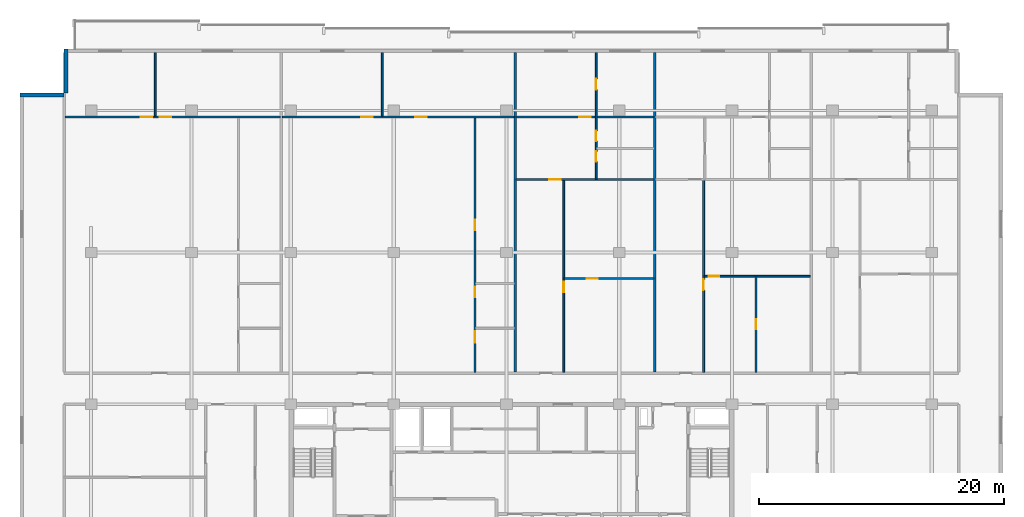
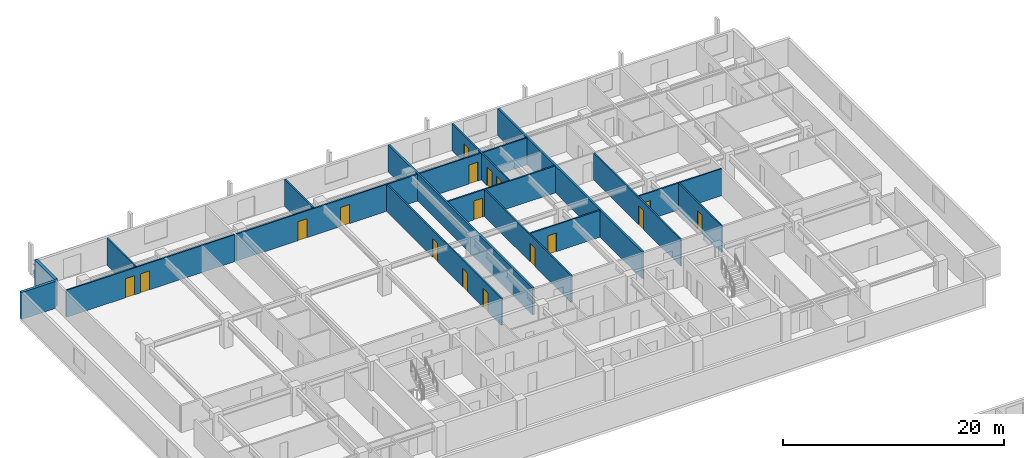
# One storey, part 13 of 21: 17 doors, 17 walls, 17 openings.
"""IFC4 building model written with IfcOpenShell, lengths in metres."""

from ifc_helpers import new_model, si_unit, direction, frame, frame_2d, origin, place, context, subcontext, project, spatial, rectangle, extrude, material, layer, layer_set, type_object, element, fill, save


model = new_model("IFC4")

# Units and contexts
model_context = context("Model", 3, precision=1e-05, world=origin(), true_north=direction((0.0, 1.0)))
body_context = subcontext(model_context, "Body", "Model", "MODEL_VIEW")
ifc_project = project(units=[si_unit("LENGTHUNIT", "METRE"), si_unit("AREAUNIT", "SQUARE_METRE"), si_unit("VOLUMEUNIT", "CUBIC_METRE"), si_unit("PLANEANGLEUNIT", "RADIAN"), si_unit("MASSUNIT", "GRAM", prefix="KILO")], contexts=[model_context])

# Site, building, storey
site_placement = place(None, origin())
site = spatial("IfcSite", under=ifc_project, at=site_placement, CompositionType="ELEMENT")
building_placement = place(site_placement, origin())
building = spatial("IfcBuilding", under=site, at=building_placement, Name="Korimba Cascade Residences", CompositionType="ELEMENT")
storey_placement = place(building_placement, frame((0.0, 0.0, 113.300048828125)))
storey = spatial("IfcBuildingStorey", under=building, at=storey_placement, Name="L32", CompositionType="ELEMENT", Elevation=113.300048828125)

# Walls
ifc_material_1 = material(Name="Precast concrete C40/50", Category="concrete")
ifc_layer_1 = layer(ifc_material_1, 0.300048828125)
ifc_layer_set_1 = layer_set([ifc_layer_1], Name="Precast concrete C40/50")
wall_type_1 = type_object("IfcWallType", Name="EW-STONE-300", PredefinedType="STANDARD", material=ifc_layer_set_1)
wall_1_placement = place(storey_placement, frame((57.75, 96.199951171875, 0.0), z_axis=(0.0, 0.0, 1.0), x_axis=(0.0, -1.0, 0.0)))
element("IfcWall", 1, at=wall_1_placement, inside=storey, type_object=wall_type_1, Name="L32 T1 Perimeter Stone Wall E07", PredefinedType="STANDARD", context=body_context, shape_type="SweptSolid", body=[
    extrude(rectangle(XDim=3.599853515625, YDim=0.300048828125, at=frame_2d((1.7998046875, 0.0))), origin(), (0.0, 0.0, 1.0), 2.969970703125),
])
wall_2_placement = place(storey_placement, frame((57.60009765625, 92.449951171875, 0.0), z_axis=(0.0, 0.0, 1.0), x_axis=(-1.0, 0.0, 0.0)))
element("IfcWall", 2, at=wall_2_placement, inside=storey, type_object=wall_type_1, Name="L32 T1 Perimeter Stone Wall E08", PredefinedType="STANDARD", context=body_context, shape_type="SweptSolid", body=[
    extrude(rectangle(XDim=3.60009765625, YDim=0.300048828125, at=frame_2d((1.800048828125, 0.0))), origin(), (0.0, 0.0, 1.0), 2.969970703125),
])
ifc_layer_2 = layer(ifc_material_1, 0.199951171875)
ifc_layer_set_2 = layer_set([ifc_layer_2], Name="Precast concrete C40/50")
wall_type_2 = type_object("IfcWallType", Name="WAL-IT-200", PredefinedType="PARTITIONING", material=ifc_layer_set_2)
for number, where, z_axis, x_axis, name in (
    (3, (94.400634765625, 69.830078125, 0.0), (0.0, 0.0, 1.0), (0.0, 1.0, 0.0), "L32 Partition Wall WAL-L32-T1-DEM-2"),
    (4, (105.816650390625, 69.830078125, 0.0), (0.0, 0.0, 1.0), (0.0, 1.0, 0.0), "L32 Partition Wall WAL-L32-T1-DEM-3"),
):
    element("IfcWall", number, at=place(storey_placement, frame(where, z_axis=z_axis, x_axis=x_axis)), inside=storey, type_object=wall_type_2, Name=name, PredefinedType="PARTITIONING", context=body_context, shape_type="SweptSolid", body=[
        extrude(rectangle(XDim=26.06982421875, YDim=0.199951171875, at=frame_2d((13.034912109375, 0.0))), origin(), (0.0, 0.0, 1.0), 2.969970703125),
    ])
ifc_material_2 = material(Name="Insulated Acoustic Stud Partition", Category="gypsum")
ifc_layer_3 = layer(ifc_material_2, 0.14990234375)
ifc_layer_set_3 = layer_set([ifc_layer_3], Name="Insulated Acoustic Stud Partition")
wall_type_3 = type_object("IfcWallType", Name="WAL-PART-150", PredefinedType="PARTITIONING", material=ifc_layer_set_3)
wall_3_placement = place(storey_placement, frame((65.042236328125, 90.72998046875, 0.0), z_axis=(0.0, 0.0, 1.0), x_axis=(0.0, 1.0, 0.0)))
element("IfcWall", 5, at=wall_3_placement, inside=storey, type_object=wall_type_3, Name="L32 Partition Wall WAL-L32-T1-U01-OUTV", PredefinedType="PARTITIONING", context=body_context, shape_type="SweptSolid", body=[
    extrude(rectangle(XDim=5.169921875, YDim=0.14990234375, at=frame_2d((2.5849609375, 0.0))), origin(), (0.0, 0.0, 1.0), 2.969970703125),
])

# Wall, openings, doors
wall_4_placement = place(storey_placement, frame((57.679931640625, 90.64990234375, 0.0), z_axis=(0.0, 0.0, 1.0), x_axis=(1.0, 0.0, 0.0)))
wall_4 = element("IfcWall", 6, at=wall_4_placement, inside=storey, type_object=wall_type_3, Name="L32 Partition Wall WAL-L32-T1-U01-HZ", PredefinedType="PARTITIONING", context=body_context, shape_type="SweptSolid", body=[
    extrude(rectangle(XDim=17.564697265625, YDim=0.14990234375, at=frame_2d((8.7822265625, 0.0))), origin(), (0.0, 0.0, 1.0), 2.969970703125),
])
opening_1_placement = place(wall_4_placement, frame((6.17236328125, 0.0, 0.0)))
opening_1 = element("IfcOpeningElement", 7, at=opening_1_placement, cuts=wall_4, Name="Opening D-IN0", PredefinedType="OPENING", context=body_context, shape_type="SweptSolid", body=[
    extrude(rectangle(XDim=0.93994140625, YDim=2.10009765625, at=frame_2d((0.469970703125, 1.050048828125))), frame((0.0, 0.0849609375, 0.0), z_axis=(0.0, -1.0, 0.0), x_axis=(1.0, 0.0, 0.0)), (0.0, 0.0, 1.0), 0.169921875),
])
opening_2_placement = place(wall_4_placement, frame((7.718994140625, 0.0, 0.0)))
opening_2 = element("IfcOpeningElement", 8, at=opening_2_placement, cuts=wall_4, Name="Opening D-IN0", PredefinedType="OPENING", context=body_context, shape_type="SweptSolid", body=[
    extrude(rectangle(XDim=0.93994140625, YDim=2.10009765625, at=frame_2d((0.469970703125, 1.050048828125))), frame((0.0, 0.0849609375, 0.0), z_axis=(0.0, -1.0, 0.0), x_axis=(1.0, 0.0, 0.0)), (0.0, 0.0, 1.0), 0.169921875),
])
ifc_material_3 = material(Name="Acoustic Timber Living Archway Door", Category="wood")
door_type_1 = type_object("IfcDoorType", Name="DR-INT-950", OperationType="NOTDEFINED", PredefinedType="DOOR", material=ifc_material_3)
door_1_placement = place(opening_1_placement, origin())
door_1 = element("IfcDoor", 9, at=door_1_placement, inside=storey, type_object=door_type_1, Name="L32-T1-U01 Fitness Pilates Gym Door", OperationType="SINGLE_SWING_LEFT", OverallHeight=2.10009765625, OverallWidth=0.93994140625, PredefinedType="DOOR", context=body_context, shape_type="SweptSolid", body=[
    extrude(rectangle(XDim=0.93994140625, YDim=2.10009765625, at=frame_2d((0.469970703125, 1.050048828125))), frame((0.0, 0.02490234375, 0.0), z_axis=(0.0, -1.0, 0.0), x_axis=(1.0, 0.0, 0.0)), (0.0, 0.0, 1.0), 0.050048828125),
])
fill(opening_1, door_1)
door_2_placement = place(opening_2_placement, origin())
door_2 = element("IfcDoor", 10, at=door_2_placement, inside=storey, type_object=door_type_1, Name="L32-T1-U01 Private Screening Cinema Door", OperationType="SINGLE_SWING_RIGHT", OverallHeight=2.10009765625, OverallWidth=0.93994140625, PredefinedType="DOOR", context=body_context, shape_type="SweptSolid", body=[
    extrude(rectangle(XDim=0.93994140625, YDim=2.10009765625, at=frame_2d((0.469970703125, 1.050048828125))), frame((0.0, 0.02490234375, 0.0), z_axis=(0.0, -1.0, 0.0), x_axis=(1.0, 0.0, 0.0)), (0.0, 0.0, 1.0), 0.050048828125),
])
fill(opening_2, door_2)

wall_5_placement = place(storey_placement, frame((91.130615234375, 69.81005859375, 0.0), z_axis=(0.0, 0.0, 1.0), x_axis=(0.0, 1.0, 0.0)))
wall_5 = element("IfcWall", 11, at=wall_5_placement, inside=storey, type_object=wall_type_3, Name="L32 Partition Wall WAL-L32-T1-U02-WCV", PredefinedType="PARTITIONING", context=body_context, shape_type="SweptSolid", body=[
    extrude(rectangle(XDim=20.780029296875, YDim=0.14990234375, at=frame_2d((10.39013671875, 0.0))), origin(), (0.0, 0.0, 1.0), 2.969970703125),
])
opening_3_placement = place(wall_5_placement, frame((2.406005859375, 0.0, 0.0)))
opening_3 = element("IfcOpeningElement", 12, at=opening_3_placement, cuts=wall_5, Name="Opening D-AC1", PredefinedType="OPENING", context=body_context, shape_type="SweptSolid", body=[
    extrude(rectangle(XDim=0.9599609375, YDim=2.10009765625, at=frame_2d((0.47998046875, 1.050048828125))), frame((0.0, 0.0849609375, 0.0), z_axis=(0.0, -1.0, 0.0), x_axis=(1.0, 0.0, 0.0)), (0.0, 0.0, 1.0), 0.169921875),
])
opening_4_placement = place(wall_5_placement, frame((6.132568359375, 0.0, 0.0)))
opening_4 = element("IfcOpeningElement", 13, at=opening_4_placement, cuts=wall_5, Name="Opening D-IN2", PredefinedType="OPENING", context=body_context, shape_type="SweptSolid", body=[
    extrude(rectangle(XDim=0.8798828125, YDim=2.06005859375, at=frame_2d((0.43994140625, 1.030029296875))), frame((0.0, 0.0849609375, 0.0), z_axis=(0.0, -1.0, 0.0), x_axis=(1.0, 0.0, 0.0)), (0.0, 0.0, 1.0), 0.169921875),
])
opening_5_placement = place(wall_5_placement, frame((11.61474609375, 0.0, 0.0)))
opening_5 = element("IfcOpeningElement", 14, at=opening_5_placement, cuts=wall_5, Name="Opening D-BT1", PredefinedType="OPENING", context=body_context, shape_type="SweptSolid", body=[
    extrude(rectangle(XDim=0.840087890625, YDim=2.0400390625, at=frame_2d((0.419921875, 1.02001953125))), frame((0.0, 0.0849609375, 0.0), z_axis=(0.0, -1.0, 0.0), x_axis=(1.0, 0.0, 0.0)), (0.0, 0.0, 1.0), 0.169921875),
])
ifc_material_4 = material(Name="Accessible Acoustic Timber WC Door", Category="wood")
door_type_2 = type_object("IfcDoorType", Name="DR-ACC-950", OperationType="NOTDEFINED", PredefinedType="DOOR", material=ifc_material_4)
door_3_placement = place(opening_3_placement, origin())
door_3 = element("IfcDoor", 15, at=door_3_placement, inside=storey, type_object=door_type_2, Name="L32-T1-U02 Accessible WC Door", OperationType="SINGLE_SWING_LEFT", OverallHeight=2.10009765625, OverallWidth=0.9599609375, PredefinedType="DOOR", context=body_context, shape_type="SweptSolid", body=[
    extrude(rectangle(XDim=0.9599609375, YDim=2.10009765625, at=frame_2d((0.47998046875, 1.050048828125))), frame((0.0, 0.02490234375, 0.0), z_axis=(0.0, -1.0, 0.0), x_axis=(1.0, 0.0, 0.0)), (0.0, 0.0, 1.0), 0.050048828125),
])
fill(opening_3, door_3)
ifc_material_5 = material(Name="Moisture-Resistant Bathroom Timber Door", Category="wood")
door_type_3 = type_object("IfcDoorType", Name="DR-INT-850", OperationType="NOTDEFINED", PredefinedType="DOOR", material=ifc_material_5)
door_4_placement = place(opening_5_placement, origin())
door_4 = element("IfcDoor", 16, at=door_4_placement, inside=storey, type_object=door_type_3, Name="L32-T1-U02 Suite Store Door", OperationType="SINGLE_SWING_LEFT", OverallHeight=2.0400390625, OverallWidth=0.840087890625, PredefinedType="DOOR", context=body_context, shape_type="SweptSolid", body=[
    extrude(rectangle(XDim=0.840087890625, YDim=2.0400390625, at=frame_2d((0.419921875, 1.02001953125))), frame((0.0, 0.02490234375, 0.0), z_axis=(0.0, -1.0, 0.0), x_axis=(1.0, 0.0, 0.0)), (0.0, 0.0, 1.0), 0.050048828125),
])
fill(opening_5, door_4)
ifc_material_6 = material(Name="Acoustic Timber Bedroom Door", Category="wood")
door_type_4 = type_object("IfcDoorType", Name="DR-INT-880", OperationType="NOTDEFINED", PredefinedType="DOOR", material=ifc_material_6)
door_5_placement = place(opening_4_placement, origin())
door_5 = element("IfcDoor", 17, at=door_5_placement, inside=storey, type_object=door_type_4, Name="L32-T1-U02 Restroom WC Door", OperationType="SINGLE_SWING_RIGHT", OverallHeight=2.06005859375, OverallWidth=0.8798828125, PredefinedType="DOOR", context=body_context, shape_type="SweptSolid", body=[
    extrude(rectangle(XDim=0.8798828125, YDim=2.06005859375, at=frame_2d((0.43994140625, 1.030029296875))), frame((0.0, 0.02490234375, 0.0), z_axis=(0.0, -1.0, 0.0), x_axis=(1.0, 0.0, 0.0)), (0.0, 0.0, 1.0), 0.050048828125),
])
fill(opening_4, door_5)

# Wall
wall_6_placement = place(storey_placement, frame((83.5576171875, 90.72998046875, 0.0), z_axis=(0.0, 0.0, 1.0), x_axis=(0.0, 1.0, 0.0)))
element("IfcWall", 18, at=wall_6_placement, inside=storey, type_object=wall_type_3, Name="L32 Partition Wall WAL-L32-T1-U02-OUTV", PredefinedType="PARTITIONING", context=body_context, shape_type="SweptSolid", body=[
    extrude(rectangle(XDim=5.169921875, YDim=0.14990234375, at=frame_2d((2.5849609375, 0.0))), origin(), (0.0, 0.0, 1.0), 2.969970703125),
])

# Wall, openings, doors
wall_7_placement = place(storey_placement, frame((75.40478515625, 90.64990234375, 0.0), z_axis=(0.0, 0.0, 1.0), x_axis=(1.0, 0.0, 0.0)))
wall_7 = element("IfcWall", 19, at=wall_7_placement, inside=storey, type_object=wall_type_3, Name="L32 Partition Wall WAL-L32-T1-U02-HZ", PredefinedType="PARTITIONING", context=body_context, shape_type="SweptSolid", body=[
    extrude(rectangle(XDim=18.915771484375, YDim=0.14990234375, at=frame_2d((9.4580078125, 0.0))), origin(), (0.0, 0.0, 1.0), 2.969970703125),
])
opening_6_placement = place(wall_7_placement, frame((6.42578125, 0.0, 0.0)))
opening_6 = element("IfcOpeningElement", 20, at=opening_6_placement, cuts=wall_7, Name="Opening D-IN0", PredefinedType="OPENING", context=body_context, shape_type="SweptSolid", body=[
    extrude(rectangle(XDim=0.93994140625, YDim=2.10009765625, at=frame_2d((0.469970703125, 1.050048828125))), frame((0.0, 0.0849609375, 0.0), z_axis=(0.0, -1.0, 0.0), x_axis=(1.0, 0.0, 0.0)), (0.0, 0.0, 1.0), 0.169921875),
])
opening_7_placement = place(wall_7_placement, frame((10.856201171875, 0.0, 0.0)))
opening_7 = element("IfcOpeningElement", 21, at=opening_7_placement, cuts=wall_7, Name="Opening D-IN0", PredefinedType="OPENING", context=body_context, shape_type="SweptSolid", body=[
    extrude(rectangle(XDim=0.93994140625, YDim=2.10009765625, at=frame_2d((0.469970703125, 1.050048828125))), frame((0.0, 0.0849609375, 0.0), z_axis=(0.0, -1.0, 0.0), x_axis=(1.0, 0.0, 0.0)), (0.0, 0.0, 1.0), 0.169921875),
])
door_6_placement = place(opening_6_placement, origin())
door_6 = element("IfcDoor", 22, at=door_6_placement, inside=storey, type_object=door_type_1, Name="L32-T1-U02 Fitness Pilates Gym Door", OperationType="SINGLE_SWING_RIGHT", OverallHeight=2.10009765625, OverallWidth=0.93994140625, PredefinedType="DOOR", context=body_context, shape_type="SweptSolid", body=[
    extrude(rectangle(XDim=0.93994140625, YDim=2.10009765625, at=frame_2d((0.469970703125, 1.050048828125))), frame((0.0, 0.02490234375, 0.0), z_axis=(0.0, -1.0, 0.0), x_axis=(1.0, 0.0, 0.0)), (0.0, 0.0, 1.0), 0.050048828125),
])
fill(opening_6, door_6)
door_7_placement = place(opening_7_placement, origin())
door_7 = element("IfcDoor", 23, at=door_7_placement, inside=storey, type_object=door_type_1, Name="L32-T1-U02 Private Screening Cinema Door", OperationType="SINGLE_SWING_LEFT", OverallHeight=2.10009765625, OverallWidth=0.93994140625, PredefinedType="DOOR", context=body_context, shape_type="SweptSolid", body=[
    extrude(rectangle(XDim=0.93994140625, YDim=2.10009765625, at=frame_2d((0.469970703125, 1.050048828125))), frame((0.0, 0.02490234375, 0.0), z_axis=(0.0, -1.0, 0.0), x_axis=(1.0, 0.0, 0.0)), (0.0, 0.0, 1.0), 0.050048828125),
])
fill(opening_7, door_7)

# Wall, opening, door
wall_8_placement = place(storey_placement, frame((98.4306640625, 77.47998046875, 0.0), z_axis=(0.0, 0.0, 1.0), x_axis=(1.0, 0.0, 0.0)))
wall_8 = element("IfcWall", 24, at=wall_8_placement, inside=storey, type_object=wall_type_3, Name="L32 Partition Wall WAL-L32-T1-U03-FMH", PredefinedType="PARTITIONING", context=body_context, shape_type="SweptSolid", body=[
    extrude(rectangle(XDim=7.305908203125, YDim=0.14990234375, at=frame_2d((3.65283203125, 0.0))), origin(), (0.0, 0.0, 1.0), 2.969970703125),
])
opening_8_placement = place(wall_8_placement, frame((1.8388671875, 0.0, 0.0)))
opening_8 = element("IfcOpeningElement", 25, at=opening_8_placement, cuts=wall_8, Name="Opening D-IN2", PredefinedType="OPENING", context=body_context, shape_type="SweptSolid", body=[
    extrude(rectangle(XDim=0.8798828125, YDim=2.06005859375, at=frame_2d((0.43994140625, 1.030029296875))), frame((0.0, 0.0849609375, 0.0), z_axis=(0.0, -1.0, 0.0), x_axis=(1.0, 0.0, 0.0)), (0.0, 0.0, 1.0), 0.169921875),
])
door_8_placement = place(opening_8_placement, origin())
door_8 = element("IfcDoor", 26, at=door_8_placement, inside=storey, type_object=door_type_4, Name="L32-T1-U03 Library Salon Door", OperationType="SINGLE_SWING_RIGHT", OverallHeight=2.06005859375, OverallWidth=0.8798828125, PredefinedType="DOOR", context=body_context, shape_type="SweptSolid", body=[
    extrude(rectangle(XDim=0.8798828125, YDim=2.06005859375, at=frame_2d((0.43994140625, 1.030029296875))), frame((0.0, 0.02490234375, 0.0), z_axis=(0.0, -1.0, 0.0), x_axis=(1.0, 0.0, 0.0)), (0.0, 0.0, 1.0), 0.050048828125),
])
fill(opening_8, door_8)

wall_9_placement = place(storey_placement, frame((98.37060546875, 69.81005859375, 0.0), z_axis=(0.0, 0.0, 1.0), x_axis=(0.0, 1.0, 0.0)))
wall_9 = element("IfcWall", 27, at=wall_9_placement, inside=storey, type_object=wall_type_3, Name="L32 Partition Wall WAL-L32-T1-U03-FV", PredefinedType="PARTITIONING", context=body_context, shape_type="SweptSolid", body=[
    extrude(rectangle(XDim=15.699951171875, YDim=0.14990234375, at=frame_2d((7.85009765625, 0.0))), origin(), (0.0, 0.0, 1.0), 2.969970703125),
])
opening_9_placement = place(wall_9_placement, frame((6.5400390625, 0.0, 0.0)))
opening_9 = element("IfcOpeningElement", 28, at=opening_9_placement, cuts=wall_9, Name="Opening D-IN2", PredefinedType="OPENING", context=body_context, shape_type="SweptSolid", body=[
    extrude(rectangle(XDim=0.8798828125, YDim=2.06005859375, at=frame_2d((0.43994140625, 1.030029296875))), frame((0.0, 0.0849609375, 0.0), z_axis=(0.0, -1.0, 0.0), x_axis=(1.0, 0.0, 0.0)), (0.0, 0.0, 1.0), 0.169921875),
])
door_9_placement = place(opening_9_placement, origin())
door_9 = element("IfcDoor", 29, at=door_9_placement, inside=storey, type_object=door_type_4, Name="L32-T1-U03 Media Lounge Door", OperationType="SINGLE_SWING_LEFT", OverallHeight=2.06005859375, OverallWidth=0.8798828125, PredefinedType="DOOR", context=body_context, shape_type="SweptSolid", body=[
    extrude(rectangle(XDim=0.8798828125, YDim=2.06005859375, at=frame_2d((0.43994140625, 1.030029296875))), frame((0.0, 0.02490234375, 0.0), z_axis=(0.0, -1.0, 0.0), x_axis=(1.0, 0.0, 0.0)), (0.0, 0.0, 1.0), 0.050048828125),
])
fill(opening_9, door_9)

# Wall, openings, doors
wall_10_placement = place(storey_placement, frame((101.02001953125, 85.590087890625, 0.0), z_axis=(0.0, 0.0, 1.0), x_axis=(0.0, 1.0, 0.0)))
wall_10 = element("IfcWall", 30, at=wall_10_placement, inside=storey, type_object=wall_type_3, Name="L32 Partition Wall WAL-L32-T1-U03-V1", PredefinedType="PARTITIONING", context=body_context, shape_type="SweptSolid", body=[
    extrude(rectangle(XDim=10.309814453125, YDim=0.14990234375, at=frame_2d((5.15478515625, 0.0))), origin(), (0.0, 0.0, 1.0), 2.969970703125),
])
opening_10_placement = place(wall_10_placement, frame((1.430419921875, 0.0, 0.0)))
opening_10 = element("IfcOpeningElement", 31, at=opening_10_placement, cuts=wall_10, Name="Opening D-BT1", PredefinedType="OPENING", context=body_context, shape_type="SweptSolid", body=[
    extrude(rectangle(XDim=0.840087890625, YDim=2.0400390625, at=frame_2d((0.419921875, 1.02001953125))), frame((0.0, 0.0849609375, 0.0), z_axis=(0.0, -1.0, 0.0), x_axis=(1.0, 0.0, 0.0)), (0.0, 0.0, 1.0), 0.169921875),
])
opening_11_placement = place(wall_10_placement, frame((3.1015625, 0.0, 0.0)))
opening_11 = element("IfcOpeningElement", 32, at=opening_11_placement, cuts=wall_10, Name="Opening D-BT1", PredefinedType="OPENING", context=body_context, shape_type="SweptSolid", body=[
    extrude(rectangle(XDim=0.840087890625, YDim=2.0400390625, at=frame_2d((0.419921875, 1.02001953125))), frame((0.0, 0.0849609375, 0.0), z_axis=(0.0, -1.0, 0.0), x_axis=(1.0, 0.0, 0.0)), (0.0, 0.0, 1.0), 0.169921875),
])
opening_12_placement = place(wall_10_placement, frame((7.28955078125, 0.0, 0.0)))
opening_12 = element("IfcOpeningElement", 33, at=opening_12_placement, cuts=wall_10, Name="Opening D-IN2", PredefinedType="OPENING", context=body_context, shape_type="SweptSolid", body=[
    extrude(rectangle(XDim=0.8798828125, YDim=2.06005859375, at=frame_2d((0.43994140625, 1.030029296875))), frame((0.0, 0.0849609375, 0.0), z_axis=(0.0, -1.0, 0.0), x_axis=(1.0, 0.0, 0.0)), (0.0, 0.0, 1.0), 0.169921875),
])
door_10_placement = place(opening_10_placement, origin())
door_10 = element("IfcDoor", 34, at=door_10_placement, inside=storey, type_object=door_type_3, Name="L32-T1-U03 Bathroom Door", OperationType="SINGLE_SWING_RIGHT", OverallHeight=2.0400390625, OverallWidth=0.840087890625, PredefinedType="DOOR", context=body_context, shape_type="SweptSolid", body=[
    extrude(rectangle(XDim=0.840087890625, YDim=2.0400390625, at=frame_2d((0.419921875, 1.02001953125))), frame((0.0, 0.02490234375, 0.0), z_axis=(0.0, -1.0, 0.0), x_axis=(1.0, 0.0, 0.0)), (0.0, 0.0, 1.0), 0.050048828125),
])
fill(opening_10, door_10)
door_11_placement = place(opening_11_placement, origin())
door_11 = element("IfcDoor", 35, at=door_11_placement, inside=storey, type_object=door_type_3, Name="L32-T1-U03 Laundry Door", OperationType="SINGLE_SWING_LEFT", OverallHeight=2.0400390625, OverallWidth=0.840087890625, PredefinedType="DOOR", context=body_context, shape_type="SweptSolid", body=[
    extrude(rectangle(XDim=0.840087890625, YDim=2.0400390625, at=frame_2d((0.419921875, 1.02001953125))), frame((0.0, 0.02490234375, 0.0), z_axis=(0.0, -1.0, 0.0), x_axis=(1.0, 0.0, 0.0)), (0.0, 0.0, 1.0), 0.050048828125),
])
fill(opening_11, door_11)
door_12_placement = place(opening_12_placement, origin())
door_12 = element("IfcDoor", 36, at=door_12_placement, inside=storey, type_object=door_type_4, Name="L32-T1-U03 Bedroom 1 Door", OperationType="SINGLE_SWING_RIGHT", OverallHeight=2.06005859375, OverallWidth=0.8798828125, PredefinedType="DOOR", context=body_context, shape_type="SweptSolid", body=[
    extrude(rectangle(XDim=0.8798828125, YDim=2.06005859375, at=frame_2d((0.43994140625, 1.030029296875))), frame((0.0, 0.02490234375, 0.0), z_axis=(0.0, -1.0, 0.0), x_axis=(1.0, 0.0, 0.0)), (0.0, 0.0, 1.0), 0.050048828125),
])
fill(opening_12, door_12)

# Wall, opening, door
wall_11_placement = place(storey_placement, frame((94.480712890625, 85.550048828125, 0.0), z_axis=(0.0, 0.0, 1.0), x_axis=(1.0, 0.0, 0.0)))
wall_11 = element("IfcWall", 37, at=wall_11_placement, inside=storey, type_object=wall_type_3, Name="L32 Partition Wall WAL-L32-T1-U03-MW", PredefinedType="PARTITIONING", context=body_context, shape_type="SweptSolid", body=[
    extrude(rectangle(XDim=11.255859375, YDim=0.14990234375, at=frame_2d((5.6279296875, 0.0))), origin(), (0.0, 0.0, 1.0), 2.969970703125),
])
opening_13_placement = place(wall_11_placement, frame((2.719970703125, 0.0, 0.0)))
opening_13 = element("IfcOpeningElement", 38, at=opening_13_placement, cuts=wall_11, Name="Opening D-IN1", PredefinedType="OPENING", context=body_context, shape_type="SweptSolid", body=[
    extrude(rectangle(XDim=0.919921875, YDim=2.080078125, at=frame_2d((0.4599609375, 1.0400390625))), frame((0.0, 0.0849609375, 0.0), z_axis=(0.0, -1.0, 0.0), x_axis=(1.0, 0.0, 0.0)), (0.0, 0.0, 1.0), 0.169921875),
])
ifc_material_7 = material(Name="Acoustic Timber Living Door", Category="wood")
door_type_5 = type_object("IfcDoorType", Name="DR-INT-920", OperationType="NOTDEFINED", PredefinedType="DOOR", material=ifc_material_7)
door_13_placement = place(opening_13_placement, origin())
door_13 = element("IfcDoor", 39, at=door_13_placement, inside=storey, type_object=door_type_5, Name="L32-T1-U03 Kitchen Archway Door", OperationType="SINGLE_SWING_LEFT", OverallHeight=2.080078125, OverallWidth=0.919921875, PredefinedType="DOOR", context=body_context, shape_type="SweptSolid", body=[
    extrude(rectangle(XDim=0.919921875, YDim=2.080078125, at=frame_2d((0.4599609375, 1.0400390625))), frame((0.0, 0.02490234375, 0.0), z_axis=(0.0, -1.0, 0.0), x_axis=(1.0, 0.0, 0.0)), (0.0, 0.0, 1.0), 0.050048828125),
])
fill(opening_13, door_13)

wall_12_placement = place(storey_placement, frame((94.480712890625, 90.64990234375, 0.0), z_axis=(0.0, 0.0, 1.0), x_axis=(1.0, 0.0, 0.0)))
wall_12 = element("IfcWall", 40, at=wall_12_placement, inside=storey, type_object=wall_type_3, Name="L32 Partition Wall WAL-L32-T1-U03-HZ", PredefinedType="PARTITIONING", context=body_context, shape_type="SweptSolid", body=[
    extrude(rectangle(XDim=11.255859375, YDim=0.14990234375, at=frame_2d((5.6279296875, 0.0))), origin(), (0.0, 0.0, 1.0), 2.969970703125),
])
opening_14_placement = place(wall_12_placement, frame((5.157958984375, 0.0, 0.0)))
opening_14 = element("IfcOpeningElement", 41, at=opening_14_placement, cuts=wall_12, Name="Opening D-IN0", PredefinedType="OPENING", context=body_context, shape_type="SweptSolid", body=[
    extrude(rectangle(XDim=0.93994140625, YDim=2.10009765625, at=frame_2d((0.469970703125, 1.050048828125))), frame((0.0, 0.0849609375, 0.0), z_axis=(0.0, -1.0, 0.0), x_axis=(1.0, 0.0, 0.0)), (0.0, 0.0, 1.0), 0.169921875),
])
door_14_placement = place(opening_14_placement, origin())
door_14 = element("IfcDoor", 42, at=door_14_placement, inside=storey, type_object=door_type_1, Name="L32-T1-U03 Living Archway Door", OperationType="SINGLE_SWING_RIGHT", OverallHeight=2.10009765625, OverallWidth=0.93994140625, PredefinedType="DOOR", context=body_context, shape_type="SweptSolid", body=[
    extrude(rectangle(XDim=0.93994140625, YDim=2.10009765625, at=frame_2d((0.469970703125, 1.050048828125))), frame((0.0, 0.02490234375, 0.0), z_axis=(0.0, -1.0, 0.0), x_axis=(1.0, 0.0, 0.0)), (0.0, 0.0, 1.0), 0.050048828125),
])
fill(opening_14, door_14)

wall_13_placement = place(storey_placement, frame((114.055419921875, 69.81005859375, 0.0), z_axis=(0.0, 0.0, 1.0), x_axis=(0.0, 1.0, 0.0)))
wall_13 = element("IfcWall", 43, at=wall_13_placement, inside=storey, type_object=wall_type_3, Name="L32 Partition Wall WAL-L32-T1-U04-FMV", PredefinedType="PARTITIONING", context=body_context, shape_type="SweptSolid", body=[
    extrude(rectangle(XDim=7.849853515625, YDim=0.14990234375, at=frame_2d((3.9248046875, 0.0))), origin(), (0.0, 0.0, 1.0), 2.969970703125),
])
opening_15_placement = place(wall_13_placement, frame((3.5048828125, 0.0, 0.0)))
opening_15 = element("IfcOpeningElement", 44, at=opening_15_placement, cuts=wall_13, Name="Opening D-BT1", PredefinedType="OPENING", context=body_context, shape_type="SweptSolid", body=[
    extrude(rectangle(XDim=0.840087890625, YDim=2.0400390625, at=frame_2d((0.419921875, 1.02001953125))), frame((0.0, 0.0849609375, 0.0), z_axis=(0.0, -1.0, 0.0), x_axis=(1.0, 0.0, 0.0)), (0.0, 0.0, 1.0), 0.169921875),
])
door_15_placement = place(opening_15_placement, origin())
door_15 = element("IfcDoor", 45, at=door_15_placement, inside=storey, type_object=door_type_3, Name="L32-T1-U04 Wardrobe Door", OperationType="SINGLE_SWING_LEFT", OverallHeight=2.0400390625, OverallWidth=0.840087890625, PredefinedType="DOOR", context=body_context, shape_type="SweptSolid", body=[
    extrude(rectangle(XDim=0.840087890625, YDim=2.0400390625, at=frame_2d((0.419921875, 1.02001953125))), frame((0.0, 0.02490234375, 0.0), z_axis=(0.0, -1.0, 0.0), x_axis=(1.0, 0.0, 0.0)), (0.0, 0.0, 1.0), 0.050048828125),
])
fill(opening_15, door_15)

wall_14_placement = place(storey_placement, frame((109.8466796875, 77.659912109375, 0.0), z_axis=(0.0, 0.0, 1.0), x_axis=(1.0, 0.0, 0.0)))
wall_14 = element("IfcWall", 46, at=wall_14_placement, inside=storey, type_object=wall_type_3, Name="L32 Partition Wall WAL-L32-T1-U04-FMH", PredefinedType="PARTITIONING", context=body_context, shape_type="SweptSolid", body=[
    extrude(rectangle(XDim=8.6572265625, YDim=0.14990234375, at=frame_2d((4.32861328125, 0.0))), origin(), (0.0, 0.0, 1.0), 2.969970703125),
])
opening_16_placement = place(wall_14_placement, frame((0.35009765625, 0.0, 0.0)))
opening_16 = element("IfcOpeningElement", 47, at=opening_16_placement, cuts=wall_14, Name="Opening D-IN2", PredefinedType="OPENING", context=body_context, shape_type="SweptSolid", body=[
    extrude(rectangle(XDim=0.8798828125, YDim=2.06005859375, at=frame_2d((0.43994140625, 1.030029296875))), frame((0.0, 0.0849609375, 0.0), z_axis=(0.0, -1.0, 0.0), x_axis=(1.0, 0.0, 0.0)), (0.0, 0.0, 1.0), 0.169921875),
])
door_16_placement = place(opening_16_placement, origin())
door_16 = element("IfcDoor", 48, at=door_16_placement, inside=storey, type_object=door_type_4, Name="L32-T1-U04 Library Salon Door", OperationType="SINGLE_SWING_RIGHT", OverallHeight=2.06005859375, OverallWidth=0.8798828125, PredefinedType="DOOR", context=body_context, shape_type="SweptSolid", body=[
    extrude(rectangle(XDim=0.8798828125, YDim=2.06005859375, at=frame_2d((0.43994140625, 1.030029296875))), frame((0.0, 0.02490234375, 0.0), z_axis=(0.0, -1.0, 0.0), x_axis=(1.0, 0.0, 0.0)), (0.0, 0.0, 1.0), 0.050048828125),
])
fill(opening_16, door_16)

wall_15_placement = place(storey_placement, frame((109.78662109375, 69.81005859375, 0.0), z_axis=(0.0, 0.0, 1.0), x_axis=(0.0, 1.0, 0.0)))
wall_15 = element("IfcWall", 49, at=wall_15_placement, inside=storey, type_object=wall_type_3, Name="L32 Partition Wall WAL-L32-T1-U04-FV", PredefinedType="PARTITIONING", context=body_context, shape_type="SweptSolid", body=[
    extrude(rectangle(XDim=15.699951171875, YDim=0.14990234375, at=frame_2d((7.85009765625, 0.0))), origin(), (0.0, 0.0, 1.0), 2.969970703125),
])
opening_17_placement = place(wall_15_placement, frame((6.719970703125, 0.0, 0.0)))
opening_17 = element("IfcOpeningElement", 50, at=opening_17_placement, cuts=wall_15, Name="Opening D-IN2", PredefinedType="OPENING", context=body_context, shape_type="SweptSolid", body=[
    extrude(rectangle(XDim=0.8798828125, YDim=2.06005859375, at=frame_2d((0.43994140625, 1.030029296875))), frame((0.0, 0.0849609375, 0.0), z_axis=(0.0, -1.0, 0.0), x_axis=(1.0, 0.0, 0.0)), (0.0, 0.0, 1.0), 0.169921875),
])
door_17_placement = place(opening_17_placement, origin())
door_17 = element("IfcDoor", 51, at=door_17_placement, inside=storey, type_object=door_type_4, Name="L32-T1-U04 Media Lounge Door", OperationType="SINGLE_SWING_LEFT", OverallHeight=2.06005859375, OverallWidth=0.8798828125, PredefinedType="DOOR", context=body_context, shape_type="SweptSolid", body=[
    extrude(rectangle(XDim=0.8798828125, YDim=2.06005859375, at=frame_2d((0.43994140625, 1.030029296875))), frame((0.0, 0.02490234375, 0.0), z_axis=(0.0, -1.0, 0.0), x_axis=(1.0, 0.0, 0.0)), (0.0, 0.0, 1.0), 0.050048828125),
])
fill(opening_17, door_17)

save(model, "model.ifc")
